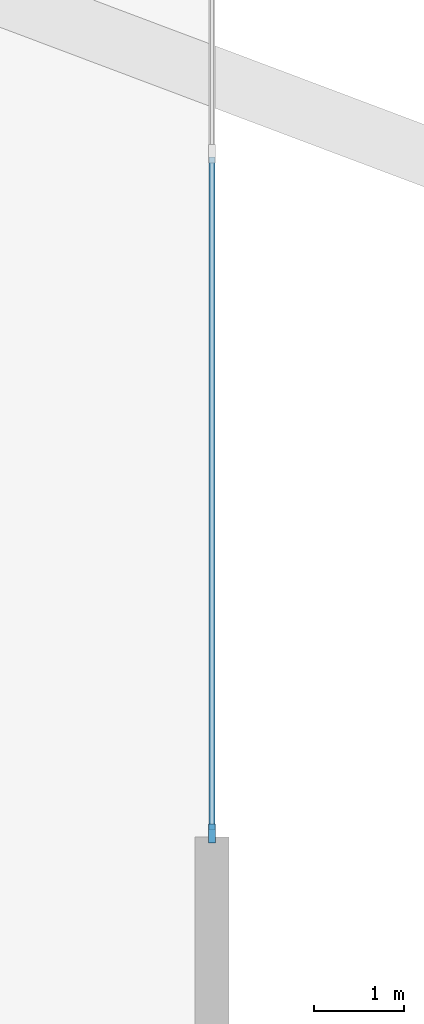
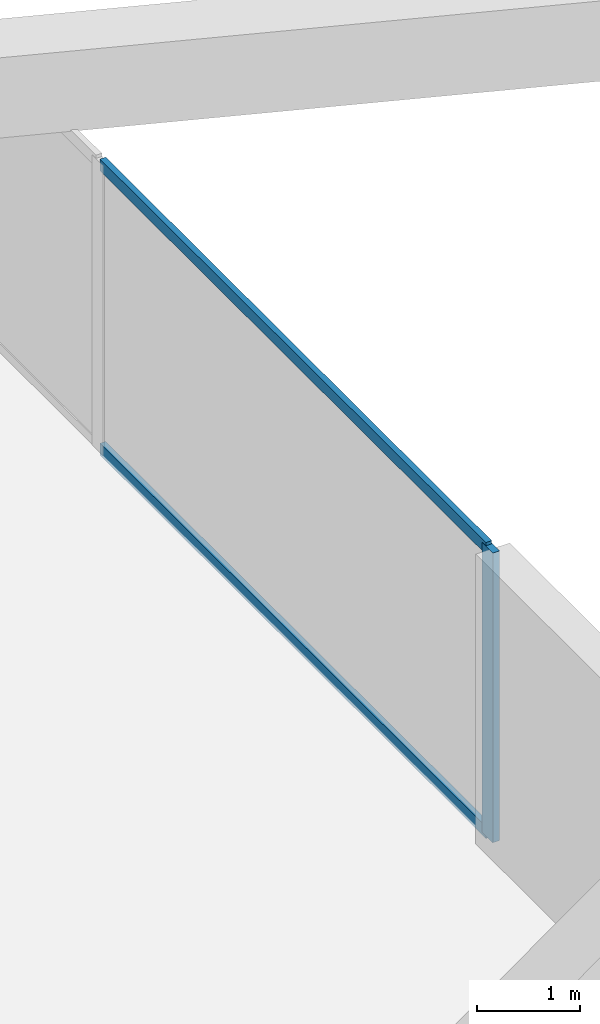
# One storey, part 4 of 15: 3 members, 1 element without a shape of its own.
"""IFC4 building model written with IfcOpenShell, lengths in metres."""

from ifc_helpers import new_model, si_unit, direction, frame, origin, origin_2d, place, context, subcontext, project, spatial, rectangle, extrude, material, layer, layer_set, material_profile, profile_set, type_object, element, aggregate, save


model = new_model("IFC4")

# Units and contexts
model_context = context("Model", 3, precision=1e-05, world=origin(), true_north=direction((0.0, 1.0)))
body_context = subcontext(model_context, "Body", "Model", "MODEL_VIEW")
ifc_project = project(units=[si_unit("LENGTHUNIT", "METRE"), si_unit("AREAUNIT", "SQUARE_METRE"), si_unit("VOLUMEUNIT", "CUBIC_METRE"), si_unit("PLANEANGLEUNIT", "RADIAN"), si_unit("MASSUNIT", "GRAM", prefix="KILO")], contexts=[model_context])

# Site, building, storey
site_placement = place(None, origin())
site = spatial("IfcSite", under=ifc_project, at=site_placement, CompositionType="ELEMENT")
building_placement = place(site_placement, origin())
building = spatial("IfcBuilding", under=site, at=building_placement, Name="Talyreon Biosciences Tower", CompositionType="ELEMENT")
storey_placement = place(building_placement, frame((0.0, 0.0, 5.39990234375)))
storey = spatial("IfcBuildingStorey", under=building, at=storey_placement, Name="L01", CompositionType="ELEMENT", Elevation=5.39990234375)

# Curtain wall, members
ifc_material_1 = material(Name="Thermally broken aluminium and low-E glazing", Category="aluminium")
ifc_layer = layer(ifc_material_1, 0.219970703125)
ifc_layer_set = layer_set([ifc_layer], Name="Thermally broken aluminium and low-E glazing")
curtain_wall_type = type_object("IfcCurtainWallType", Name="CurtainWall_PodiumDoubleHeight", PredefinedType="NOTDEFINED", material=ifc_layer_set)
curtain_wall_placement = place(storey_placement, origin())
curtain_wall = element("IfcCurtainWall", 1, at=curtain_wall_placement, inside=storey, type_object=curtain_wall_type, Name="L01 Unitised Curtain Wall FCW-L01-E", PredefinedType="NOTDEFINED")
ifc_material_2 = material(Name="Anodised thermally broken aluminium", Category="aluminium")
ifc_material_profile_1 = material_profile(ifc_material_2, rectangle(XDim=0.074951171875, YDim=0.2099609375, at=origin_2d()), Name="ALUM MULLION 75x210")
ifc_profile_set_1 = profile_set([ifc_material_profile_1], Name="Anodised thermally broken aluminium")
member_type_1 = type_object("IfcMemberType", Name="CWMullion_75x210", PredefinedType="MULLION", material=ifc_profile_set_1)
member_1_placement = place(storey_placement, frame((83.5, 48.03759765625, 0.0), z_axis=(0.0, 0.0, 1.0), x_axis=(1.0, 0.0, 0.0)))
member_1 = element("IfcMember", 2, at=member_1_placement, type_object=member_type_1, Name="CW1 mullion 6", PredefinedType="MULLION", context=body_context, shape_type="SweptSolid", body=[
    extrude(rectangle(XDim=0.074951171875, YDim=0.2099609375, at=origin_2d()), origin(), (0.0, 0.0, 1.0), 3.43017578125),
])
ifc_material_profile_2 = material_profile(ifc_material_2, rectangle(XDim=0.06494140625, YDim=0.139892578125, at=origin_2d()), Name="ALUM TRANSOM 65x140")
ifc_profile_set_2 = profile_set([ifc_material_profile_2], Name="Anodised thermally broken aluminium")
member_type_2 = type_object("IfcMemberType", Name="CWTransom_65x140", PredefinedType="USERDEFINED", material=ifc_profile_set_2)
member_2_placement = place(storey_placement, frame((83.5, 55.5625, 0.03271484375), z_axis=(0.0, -1.0, 0.0), x_axis=(1.0, 0.0, 0.0)))
member_2 = element("IfcMember", 3, at=member_2_placement, type_object=member_type_2, Name="CW1 transom 5.1", ObjectType="TRANSOM", PredefinedType="USERDEFINED", context=body_context, shape_type="SweptSolid", body=[
    extrude(rectangle(XDim=0.06494140625, YDim=0.139892578125, at=origin_2d()), origin(), (0.0, 0.0, 1.0), 7.487548828125),
])
member_3_placement = place(storey_placement, frame((83.5, 55.5625, 3.397705078125), z_axis=(0.0, -1.0, 0.0), x_axis=(1.0, 0.0, 0.0)))
member_3 = element("IfcMember", 4, at=member_3_placement, type_object=member_type_2, Name="CW1 transom 5.2", ObjectType="TRANSOM", PredefinedType="USERDEFINED", context=body_context, shape_type="SweptSolid", body=[
    extrude(rectangle(XDim=0.06494140625, YDim=0.139892578125, at=origin_2d()), origin(), (0.0, 0.0, 1.0), 7.487548828125),
])
aggregate(curtain_wall, [member_1, member_2, member_3])

save(model, "model.ifc")
